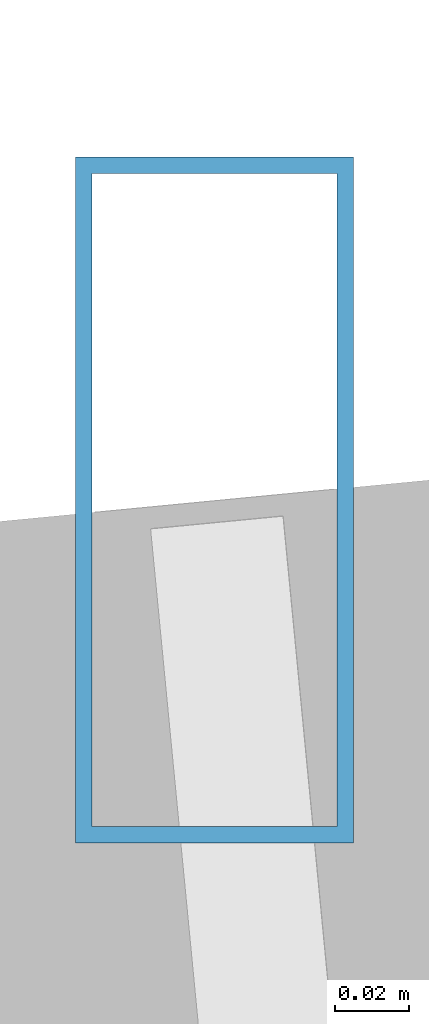
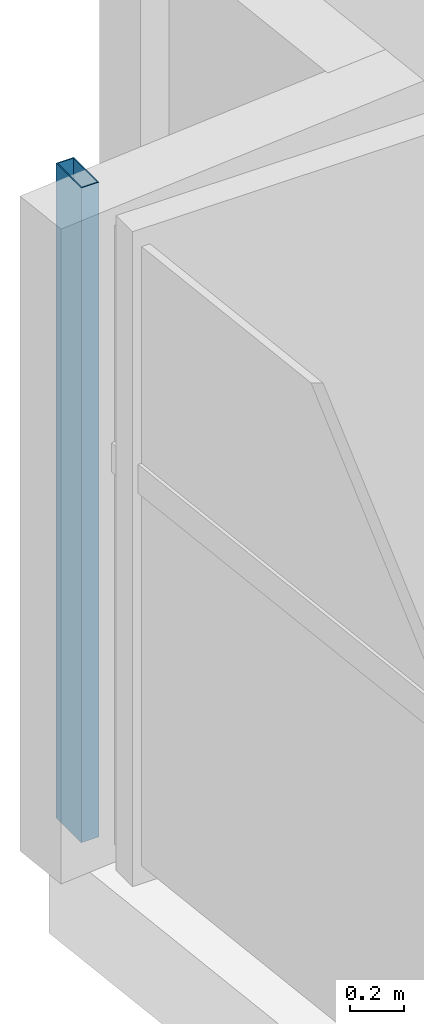
# One storey, part 8 of 25: 1 member, 1 element without a shape of its own.
"""IFC4 building model written with IfcOpenShell, lengths in metres."""

from ifc_helpers import new_model, si_unit, direction, frame, origin, origin_2d, place, context, subcontext, project, spatial, hollow_rectangle, extrude, source, transform, mapped, material, material_profile, profile_set, type_object, type_shapes, element, aggregate, save


model = new_model("IFC4")

# Units and contexts
model_context = context("Model", 3, precision=1e-05, world=origin(), true_north=direction((0.0, 1.0)))
body_context = subcontext(model_context, "Body", "Model", "MODEL_VIEW")
ifc_project = project(units=[si_unit("LENGTHUNIT", "METRE"), si_unit("AREAUNIT", "SQUARE_METRE"), si_unit("VOLUMEUNIT", "CUBIC_METRE"), si_unit("PLANEANGLEUNIT", "RADIAN"), si_unit("MASSUNIT", "GRAM", prefix="KILO")], contexts=[model_context])

# Site, building, storey
site_placement = place(None, origin())
site = spatial("IfcSite", under=ifc_project, at=site_placement, CompositionType="ELEMENT")
building_placement = place(site_placement, origin())
building = spatial("IfcBuilding", under=site, at=building_placement, Name="Astriad Promenade Condominiums", CompositionType="ELEMENT")
storey_placement = place(building_placement, frame((0.0, 0.0, 77.800048828125)))
storey = spatial("IfcBuildingStorey", under=building, at=storey_placement, Name="L21", CompositionType="ELEMENT", Elevation=77.800048828125)

# Curtain wall, member
ifc_material_1 = material(Name="Anodised aluminium Black Dark Glass Unitised", Category="aluminium")
curtain_wall_type = type_object("IfcCurtainWallType", Name="CW-B2-DARK", PredefinedType="USERDEFINED", material=ifc_material_1)
curtain_wall_placement = place(storey_placement, origin())
curtain_wall = element("IfcCurtainWall", 1, at=curtain_wall_placement, inside=storey, type_object=curtain_wall_type, Name="CW-L21-W", ObjectType="UNITISED_CURTAIN_WALL", PredefinedType="USERDEFINED")
ifc_material_2 = material(Name="Anodised aluminium 6063-T6 Black", Category="aluminium")
ifc_material_profile = material_profile(ifc_material_2, hollow_rectangle(XDim=0.074951171875, YDim=0.18505859375, WallThickness=0.00439453125, at=origin_2d()), Name="ALU-MUL-75X185")
ifc_profile_set = profile_set([ifc_material_profile], Name="Anodised aluminium 6063-T6 Black")
member_type = type_object("IfcMemberType", Name="MUL-ALU-MUL-75X185", PredefinedType="MULLION", material=ifc_profile_set)
shared_shape = source(origin(), body_context, "Body", "SweptSolid", [
    extrude(hollow_rectangle(XDim=0.074951171875, YDim=0.18505859375, WallThickness=0.00439453125, at=origin_2d()), origin(), (0.0, 0.0, 1.0), 2.93994140625),
])
type_shapes(member_type, [shared_shape])
member_placement = place(storey_placement, frame((8.94775390625, 20.921875, 0.0), z_axis=(0.0, 0.0, 1.0), x_axis=(1.0, 0.0, 0.0)))
member = element("IfcMember", 2, at=member_placement, type_object=member_type, Name="CW-L21-W-MUL-03", PredefinedType="MULLION", context=body_context, shape_type="MappedRepresentation", body=[
    mapped(shared_shape, transform((0.0, 0.0, 0.0), scale=1.0)),
])
aggregate(curtain_wall, [member])

save(model, "model.ifc")
